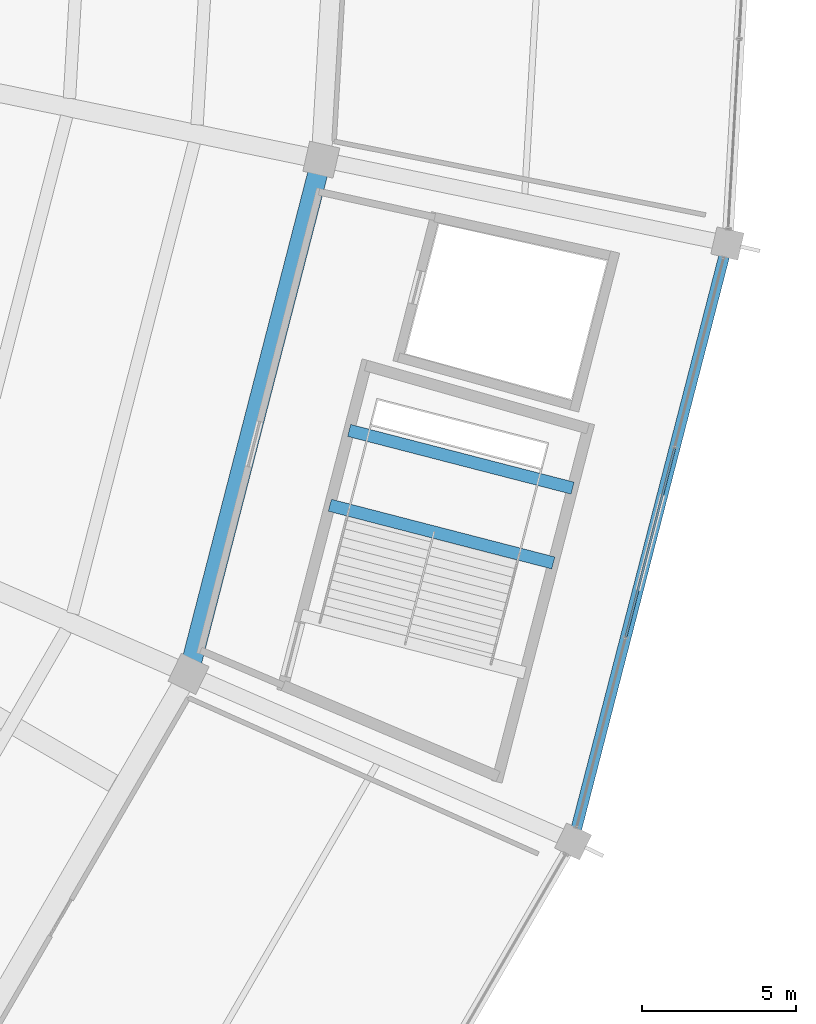
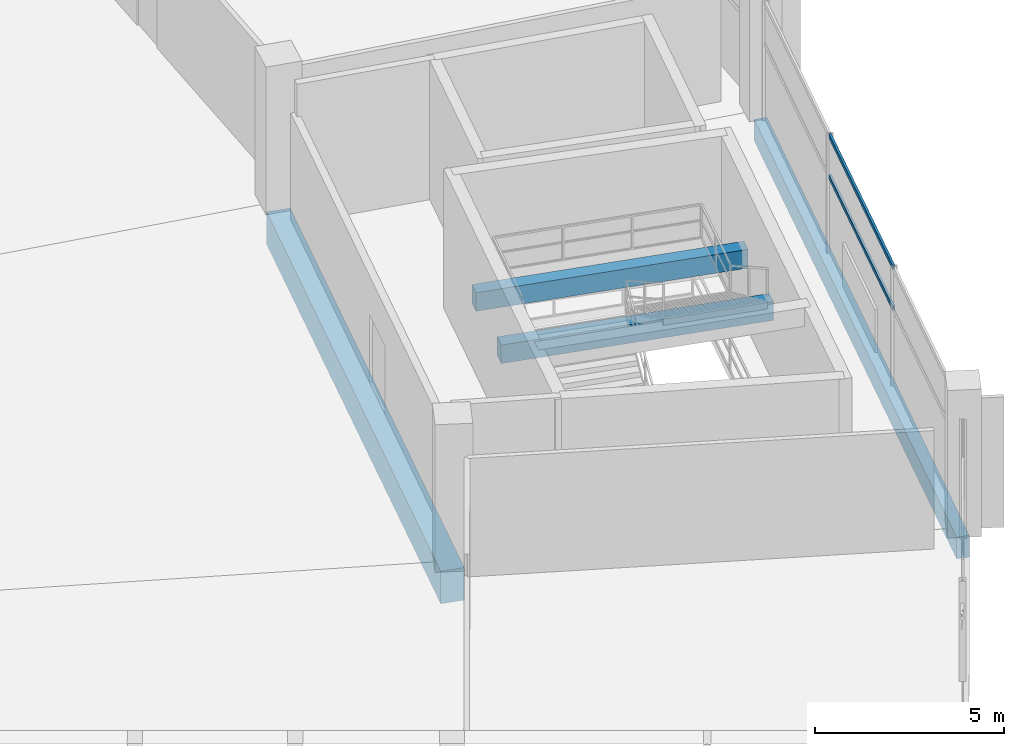
# One storey, part 56 of 156: 4 beams, 2 members, 1 element without a shape of its own.
"""IFC4 building model written with IfcOpenShell, lengths in metres."""

from ifc_helpers import new_model, si_unit, direction, frame, origin, origin_2d, place, context, subcontext, project, spatial, rectangle, hollow_rectangle, extrude, material, layer, layer_set, material_profile, profile_set, type_object, element, aggregate, save


model = new_model("IFC4")

# Units and contexts
model_context = context("Model", 3, precision=1e-05, world=origin(), true_north=direction((0.0, 1.0)))
body_context = subcontext(model_context, "Body", "Model", "MODEL_VIEW")
ifc_project = project(units=[si_unit("LENGTHUNIT", "METRE"), si_unit("AREAUNIT", "SQUARE_METRE"), si_unit("VOLUMEUNIT", "CUBIC_METRE"), si_unit("PLANEANGLEUNIT", "RADIAN"), si_unit("MASSUNIT", "GRAM", prefix="KILO")], contexts=[model_context])

# Site, building, storey
site_placement = place(None, origin())
site = spatial("IfcSite", under=ifc_project, at=site_placement, CompositionType="ELEMENT")
building_placement = place(site_placement, origin())
building = spatial("IfcBuilding", under=site, at=building_placement, Name="Kazemori Nagisa Stadium", CompositionType="ELEMENT")
storey_placement = place(building_placement, frame((0.0, 0.0, 5.780029296875)))
storey = spatial("IfcBuildingStorey", under=building, at=storey_placement, Name="L01", CompositionType="ELEMENT", Elevation=5.780029296875)

# Beams
ifc_material_1 = material(Name="Concrete C40/50 (Fc42)", Category="concrete")
ifc_material_profile_1 = material_profile(ifc_material_1, rectangle(XDim=0.39990234375, YDim=0.60009765625, at=origin_2d()), Name="RC-BM-400x600")
ifc_profile_set_1 = profile_set([ifc_material_profile_1], Name="Concrete C40/50 (Fc42)")
beam_type_1 = type_object("IfcBeamType", Name="Beam_BG-LND400X600", PredefinedType="BEAM", material=ifc_profile_set_1)
beam_1_placement = place(storey_placement, frame((204.014404296875, 74.133056640625, 1.8798828125), z_axis=(0.968252570883, -0.249973916595, 0.0), x_axis=(0.249973916595, 0.968252570883, 0.0)))
element("IfcBeam", 1, at=beam_1_placement, inside=storey, type_object=beam_type_1, Name="Core stair mid-landing girder ST10-L01-1", PredefinedType="BEAM", context=body_context, shape_type="SweptSolid", body=[
    extrude(rectangle(XDim=0.39990234375, YDim=0.60009765625, at=origin_2d()), origin(), (0.0, 0.0, 1.0), 7.468505859375),
])
beam_2_placement = place(storey_placement, frame((204.639404296875, 76.5537109375, 1.8798828125), z_axis=(0.968250528141, -0.249981828849, 0.0), x_axis=(0.249981828849, 0.968250528141, 0.0)))
element("IfcBeam", 2, at=beam_2_placement, inside=storey, type_object=beam_type_1, Name="Core stair mid-landing girder ST10-L01-2", PredefinedType="BEAM", context=body_context, shape_type="SweptSolid", body=[
    extrude(rectangle(XDim=0.39990234375, YDim=0.60009765625, at=origin_2d()), origin(), (0.0, 0.0, 1.0), 7.46826171875),
])
ifc_material_profile_2 = material_profile(ifc_material_1, rectangle(XDim=0.64990234375, YDim=1.050048828125, at=origin_2d()), Name="RC-BM-650x1050")
ifc_profile_set_2 = profile_set([ifc_material_profile_2], Name="Concrete C40/50 (Fc42)")
beam_type_2 = type_object("IfcBeamType", Name="Beam_BG-RC650X1050", PredefinedType="BEAM", material=ifc_profile_set_2)
beam_3_placement = place(storey_placement, frame((199.44091796875, 68.67529296875, -0.804931640625), z_axis=(0.249974673676, 0.968252375427, 0.0), x_axis=(-0.968252375427, 0.249974673676, 0.0)))
element("IfcBeam", 3, at=beam_3_placement, inside=storey, type_object=beam_type_2, Name="Ring girder BG-RC650X1050 L01 R2-27", PredefinedType="BEAM", context=body_context, shape_type="SweptSolid", body=[
    extrude(rectangle(XDim=0.64990234375, YDim=1.050048828125, at=origin_2d()), origin(), (0.0, 0.0, 1.0), 17.188232421875),
])
ifc_material_profile_3 = material_profile(ifc_material_1, rectangle(XDim=0.35009765625, YDim=0.699951171875, at=origin_2d()), Name="RC-SP-350x700")
ifc_profile_set_3 = profile_set([ifc_material_profile_3], Name="Concrete C40/50 (Fc42)")
beam_type_3 = type_object("IfcBeamType", Name="Beam_BS-RC350X700", PredefinedType="SPANDREL", material=ifc_profile_set_3)
beam_4_placement = place(storey_placement, frame((211.885009765625, 63.25048828125, -0.630126953125), z_axis=(0.249964097999, 0.968255105699, 0.0), x_axis=(-0.968255105699, 0.249964097999, 0.0)))
element("IfcBeam", 4, at=beam_4_placement, inside=storey, type_object=beam_type_3, Name="Ring girder BS-RC350X700 L01 R3-27", PredefinedType="SPANDREL", context=body_context, shape_type="SweptSolid", body=[
    extrude(rectangle(XDim=0.35009765625, YDim=0.699951171875, at=origin_2d()), origin(), (0.0, 0.0, 1.0), 19.986328125),
])

# Curtain wall, members
ifc_material_2 = material(Name="Anodised aluminium 6063-T5", Category="aluminium")
ifc_layer = layer(ifc_material_2, 0.179931640625, Name="Anodised aluminium 6063-T5", Category="aluminium")
ifc_layer_set = layer_set([ifc_layer], Name="Anodised aluminium 6063-T5")
curtain_wall_type = type_object("IfcCurtainWallType", Name="CW_L01R3_96", PredefinedType="USERDEFINED", material=ifc_layer_set)
curtain_wall_placement = place(storey_placement, origin())
curtain_wall = element("IfcCurtainWall", 5, at=curtain_wall_placement, inside=storey, type_object=curtain_wall_type, Name="Unitised curtain wall CW-L01R3-96 L01", ObjectType="UNITISED CURTAIN WALL", PredefinedType="USERDEFINED")
ifc_material_3 = material(Name="Aluminium 6063-T5 anodised", Category="aluminium")
ifc_material_profile_4 = material_profile(ifc_material_3, hollow_rectangle(XDim=0.070068359375, YDim=0.139892578125, WallThickness=0.00390625, at=origin_2d()), Name="ALU-TRAN-70x140x4")
ifc_profile_set_4 = profile_set([ifc_material_profile_4], Name="Aluminium 6063-T5 anodised")
member_type = type_object("IfcMemberType", Name="Transom_T01", PredefinedType="USERDEFINED", material=ifc_profile_set_4)
member_1_placement = place(storey_placement, frame((213.5947265625, 69.873779296875, 2.4638671875), z_axis=(0.249971699633, 0.968253143234, 0.0), x_axis=(-0.968253143234, 0.249971699633, 0.0)))
member_1 = element("IfcMember", 6, at=member_1_placement, type_object=member_type, Name="Curtain wall transom CW-L01R3-96-T2-mid", ObjectType="TRANSOM", PredefinedType="USERDEFINED", context=body_context, shape_type="SweptSolid", body=[
    extrude(hollow_rectangle(XDim=0.070068359375, YDim=0.139892578125, WallThickness=0.00390625, at=origin_2d()), origin(), (0.0, 0.0, 1.0), 6.305419921875),
])
member_2_placement = place(storey_placement, frame((213.5947265625, 69.873779296875, 3.780029296875), z_axis=(0.249971699633, 0.968253143234, 0.0), x_axis=(-0.968253143234, 0.249971699633, 0.0)))
member_2 = element("IfcMember", 7, at=member_2_placement, type_object=member_type, Name="Curtain wall transom CW-L01R3-96-T2-head", ObjectType="TRANSOM", PredefinedType="USERDEFINED", context=body_context, shape_type="SweptSolid", body=[
    extrude(hollow_rectangle(XDim=0.070068359375, YDim=0.139892578125, WallThickness=0.00390625, at=origin_2d()), origin(), (0.0, 0.0, 1.0), 6.305419921875),
])
aggregate(curtain_wall, [member_1, member_2])

save(model, "model.ifc")
